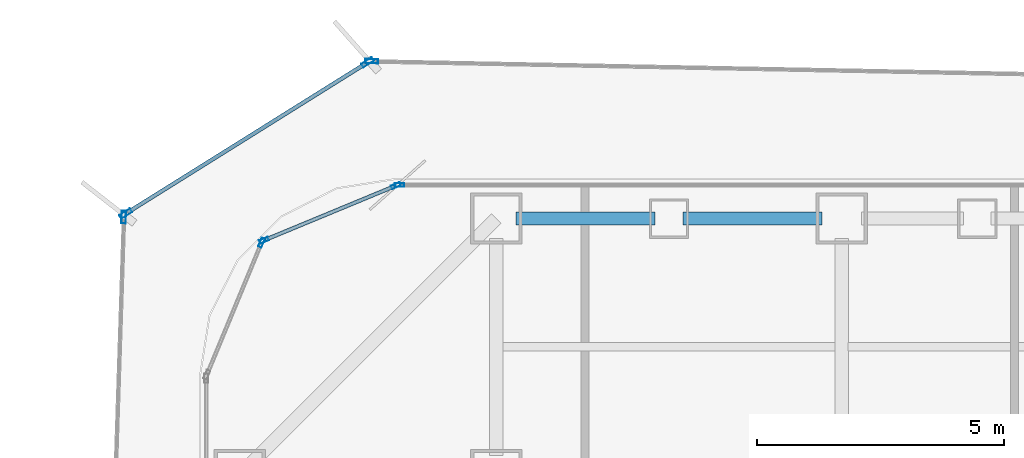
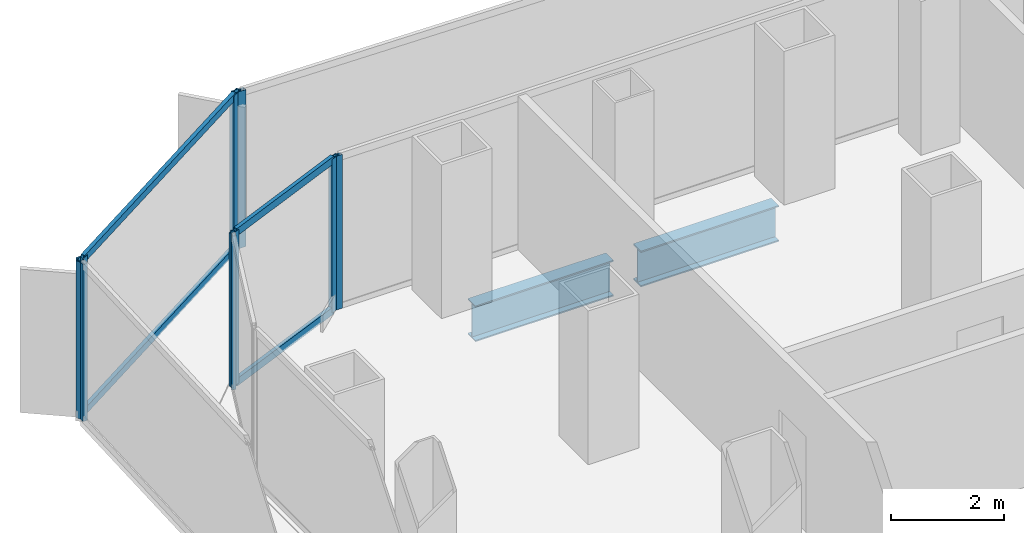
# One storey, part 11 of 22: 12 members, 2 beams, 6 elements without a shape of their own.
"""IFC4 building model written with IfcOpenShell, lengths in metres."""

from ifc_helpers import new_model, si_unit, direction, frame, origin, origin_2d, place, context, subcontext, project, spatial, hollow_rectangle, i_section, extrude, source, transform, mapped, material, layer, layer_set, material_profile, profile_set, type_object, element, aggregate, save


model = new_model("IFC4")

# Units and contexts
model_context = context("Model", 3, precision=1e-05, world=origin(), true_north=direction((0.0, 1.0)))
body_context = subcontext(model_context, "Body", "Model", "MODEL_VIEW")
ifc_project = project(units=[si_unit("LENGTHUNIT", "METRE"), si_unit("AREAUNIT", "SQUARE_METRE"), si_unit("VOLUMEUNIT", "CUBIC_METRE"), si_unit("PLANEANGLEUNIT", "RADIAN"), si_unit("MASSUNIT", "GRAM", prefix="KILO")], contexts=[model_context])

# Site, building, storey
site_placement = place(None, origin())
site = spatial("IfcSite", under=ifc_project, at=site_placement, CompositionType="ELEMENT")
building_placement = place(site_placement, origin())
building = spatial("IfcBuilding", under=site, at=building_placement, Name="Kolveth Station Tower", CompositionType="ELEMENT")
storey_placement = place(building_placement, frame((0.0, 0.0, 69.300048828125)))
storey = spatial("IfcBuildingStorey", under=building, at=storey_placement, Name="L18", CompositionType="ELEMENT", Elevation=69.300048828125)

# Beams
ifc_material_1 = material(Name="Steel S355", Category="steel")
ifc_material_profile_1 = material_profile(ifc_material_1, i_section(OverallWidth=0.26904296875, OverallDepth=0.77490234375, WebThickness=0.01708984375, FlangeThickness=0.0283203125, at=origin_2d()), Name="W760x220")
ifc_profile_set_1 = profile_set([ifc_material_profile_1], Name="Steel S355")
beam_type = type_object("IfcBeamType", Name="Beam_SP1", PredefinedType="SPANDREL", material=ifc_profile_set_1)
shared_shape_1 = source(origin(), body_context, "Body", "SweptSolid", [
    extrude(i_section(OverallWidth=0.26904296875, OverallDepth=0.77490234375, WebThickness=0.01708984375, FlangeThickness=0.0283203125, at=origin_2d()), origin(), (0.0, 0.0, 1.0), 2.820068359375),
])
for number, where, z_axis, x_axis, name in (
    (1, (6.39990234375, 39.699951171875, -0.66748046875), (1.0, 0.0, 0.0), (0.0, 1.0, 0.0), "L18 Perimeter Spandrel BM-L18-PN-1"),
    (2, (9.780029296875, 39.699951171875, -0.66748046875), (1.0, 0.0, 0.0), (0.0, 1.0, 0.0), "L18 Perimeter Spandrel BM-L18-PN-2"),
):
    element("IfcBeam", number, at=place(storey_placement, frame(where, z_axis=z_axis, x_axis=x_axis)), inside=storey, type_object=beam_type, Name=name, PredefinedType="SPANDREL", context=body_context, shape_type="MappedRepresentation", body=[
        mapped(shared_shape_1, transform((0.0, 0.0, 0.0), x_axis=(1.0, 0.0, 0.0), y_axis=(0.0, 1.0, 0.0), z_axis=(0.0, 0.0, 1.0), scale=1.0)),
    ])

# Curtain wall, member
ifc_material_2 = material(Name="Aluminium 6063-T6 and low-E dark glass", Category="aluminium")
ifc_layer_1 = layer(ifc_material_2, 0.179931640625)
ifc_layer_set_1 = layer_set([ifc_layer_1], Name="Aluminium 6063-T6 and low-E dark glass")
curtain_wall_type_1 = type_object("IfcCurtainWallType", Name="CurtainWall_CW-Z1", PredefinedType="NOTDEFINED", material=ifc_layer_set_1)
curtain_wall_1_placement = place(storey_placement, origin())
curtain_wall_1 = element("IfcCurtainWall", 3, at=curtain_wall_1_placement, inside=storey, type_object=curtain_wall_type_1, Name="L18 Inner Thermal Curtain Wall 6", PredefinedType="NOTDEFINED")
ifc_material_3 = material(Name="Black anodized aluminium 6063-T6", Category="aluminium")
ifc_material_profile_2 = material_profile(ifc_material_3, hollow_rectangle(XDim=0.074951171875, YDim=0.18994140625, WallThickness=0.0048828125, at=origin_2d()), Name="ALU-75x190x5")
ifc_profile_set_2 = profile_set([ifc_material_profile_2], Name="Black anodized aluminium 6063-T6")
member_type_1 = type_object("IfcMemberType", Name="Mullion_ML1", PredefinedType="MULLION", material=ifc_profile_set_2)
shared_shape_2 = source(origin(), body_context, "Body", "SweptSolid", [
    extrude(hollow_rectangle(XDim=0.074951171875, YDim=0.18994140625, WallThickness=0.0048828125, at=origin_2d()), origin(), (0.0, 0.0, 1.0), 3.320068359375),
])
member_1_placement = place(storey_placement, frame((4.03759765625, 40.3798828125, 0.0), z_axis=(0.0, 0.0, 1.0), x_axis=(0.0, -1.0, 0.0)))
member_1 = element("IfcMember", 4, at=member_1_placement, type_object=member_type_1, Name="CW-Z1 mullion 3", PredefinedType="MULLION", context=body_context, shape_type="MappedRepresentation", body=[
    mapped(shared_shape_2, transform((0.0, 0.0, 0.0), x_axis=(1.0, 0.0, 0.0), y_axis=(0.0, 1.0, 0.0), z_axis=(0.0, 0.0, 1.0), scale=1.0)),
])
aggregate(curtain_wall_1, [member_1])

# Curtain wall, members
curtain_wall_2_placement = place(storey_placement, origin())
curtain_wall_2 = element("IfcCurtainWall", 5, at=curtain_wall_2_placement, inside=storey, type_object=curtain_wall_type_1, Name="L18 Inner Thermal Curtain Wall 7", PredefinedType="NOTDEFINED")
member_2_placement = place(storey_placement, frame((3.96533203125, 40.36572265625, 0.0), z_axis=(0.0, 0.0, 1.0), x_axis=(0.382672990201, -0.923883857728, 0.0)))
member_2 = element("IfcMember", 6, at=member_2_placement, type_object=member_type_1, Name="CW-Z1 mullion 1", PredefinedType="MULLION", context=body_context, shape_type="MappedRepresentation", body=[
    mapped(shared_shape_2, transform((0.0, 0.0, 0.0), x_axis=(1.0, 0.0, 0.0), y_axis=(0.0, 1.0, 0.0), z_axis=(0.0, 0.0, 1.0), scale=1.0)),
])
member_3_placement = place(storey_placement, frame((1.291015625, 39.258056640625, 0.0), z_axis=(0.0, 0.0, 1.0), x_axis=(0.382672990201, -0.923883857728, 0.0)))
member_3 = element("IfcMember", 7, at=member_3_placement, type_object=member_type_1, Name="CW-Z1 mullion 2", PredefinedType="MULLION", context=body_context, shape_type="MappedRepresentation", body=[
    mapped(shared_shape_2, transform((0.0, 0.0, 0.0), x_axis=(1.0, 0.0, 0.0), y_axis=(0.0, 1.0, 0.0), z_axis=(0.0, 0.0, 1.0), scale=1.0)),
])

# Curtain wall, member
curtain_wall_3_placement = place(storey_placement, origin())
curtain_wall_3 = element("IfcCurtainWall", 8, at=curtain_wall_3_placement, inside=storey, type_object=curtain_wall_type_1, Name="L18 Inner Thermal Curtain Wall 8", PredefinedType="NOTDEFINED")
member_4_placement = place(storey_placement, frame((1.241943359375, 39.208984375, 0.0), z_axis=(0.0, 0.0, 1.0), x_axis=(0.923883857728, -0.382672990201, 0.0)))
member_4 = element("IfcMember", 9, at=member_4_placement, type_object=member_type_1, Name="CW-Z1 mullion 1", PredefinedType="MULLION", context=body_context, shape_type="MappedRepresentation", body=[
    mapped(shared_shape_2, transform((0.0, 0.0, 0.0), x_axis=(1.0, 0.0, 0.0), y_axis=(0.0, 1.0, 0.0), z_axis=(0.0, 0.0, 1.0), scale=1.0)),
])
aggregate(curtain_wall_3, [member_4])

# Member
ifc_material_profile_3 = material_profile(ifc_material_3, hollow_rectangle(XDim=0.074951171875, YDim=0.159912109375, WallThickness=0.0048828125, at=origin_2d()), Name="ALU-75x160x5")
ifc_profile_set_3 = profile_set([ifc_material_profile_3], Name="Black anodized aluminium 6063-T6")
member_type_2 = type_object("IfcMemberType", Name="Transom_TR1", PredefinedType="USERDEFINED", material=ifc_profile_set_3)
shared_shape_3 = source(origin(), body_context, "Body", "SweptSolid", [
    extrude(hollow_rectangle(XDim=0.074951171875, YDim=0.159912109375, WallThickness=0.0048828125, at=origin_2d()), origin(), (0.0, 0.0, 1.0), 2.819580078125),
])
member_5_placement = place(storey_placement, frame((3.9306640625, 40.351318359375, 0.037353515625), z_axis=(-0.923869084389, -0.382708655389, 0.0), x_axis=(0.382708655389, -0.923869084389, 0.0)))
member_5 = element("IfcMember", 10, at=member_5_placement, type_object=member_type_2, Name="CW-Z1 transom 1.1", ObjectType="TRANSOM", PredefinedType="USERDEFINED", context=body_context, shape_type="MappedRepresentation", body=[
    mapped(shared_shape_3, transform((0.0, 0.0, 0.0), x_axis=(1.0, 0.0, 0.0), y_axis=(0.0, 1.0, 0.0), z_axis=(0.0, 0.0, 1.0), scale=1.0)),
])

member_6_placement = place(storey_placement, frame((3.9306640625, 40.351318359375, 3.282470703125), z_axis=(-0.923869084389, -0.382708655389, 0.0), x_axis=(0.382708655389, -0.923869084389, 0.0)))
member_6 = element("IfcMember", 11, at=member_6_placement, type_object=member_type_2, Name="CW-Z1 transom 1.2", ObjectType="TRANSOM", PredefinedType="USERDEFINED", context=body_context, shape_type="MappedRepresentation", body=[
    mapped(shared_shape_3, transform((0.0, 0.0, 0.0), x_axis=(1.0, 0.0, 0.0), y_axis=(0.0, 1.0, 0.0), z_axis=(0.0, 0.0, 1.0), scale=1.0)),
])

aggregate(curtain_wall_2, [member_2, member_3, member_5, member_6])

# Curtain wall, member
ifc_material_4 = material(Name="Black anodized aluminium 6063-T6 and dark solar glass", Category="aluminium")
ifc_layer_2 = layer(ifc_material_4, 0.159912109375)
ifc_layer_set_2 = layer_set([ifc_layer_2], Name="Black anodized aluminium 6063-T6 and dark solar glass")
curtain_wall_type_2 = type_object("IfcCurtainWallType", Name="OUTER SKIN CW-OS", PredefinedType="NOTDEFINED", material=ifc_layer_set_2)
curtain_wall_4_placement = place(storey_placement, origin())
curtain_wall_4 = element("IfcCurtainWall", 12, at=curtain_wall_4_placement, inside=storey, type_object=curtain_wall_type_2, Name="L18 Outer Ventilated Skin Curtain Wall 4", PredefinedType="NOTDEFINED")
ifc_material_profile_4 = material_profile(ifc_material_3, hollow_rectangle(XDim=0.090087890625, YDim=0.260009765625, WallThickness=0.0048828125, at=origin_2d()), Name="ALU-90x260x5")
ifc_profile_set_4 = profile_set([ifc_material_profile_4], Name="Black anodized aluminium 6063-T6")
member_type_3 = type_object("IfcMemberType", Name="FIN MULLION ML-OS", PredefinedType="MULLION", material=ifc_profile_set_4)
shared_shape_4 = source(origin(), body_context, "Body", "SweptSolid", [
    extrude(hollow_rectangle(XDim=0.090087890625, YDim=0.260009765625, WallThickness=0.0048828125, at=origin_2d()), origin(), (0.0, 0.0, 1.0), 3.389892578125),
])
member_7_placement = place(storey_placement, frame((3.476318359375, 42.888427734375, 0.0), z_axis=(0.0, 0.0, 1.0), x_axis=(-0.019360918643, -0.999812559848, 0.0)))
member_7 = element("IfcMember", 13, at=member_7_placement, type_object=member_type_3, Name="CW-OS mullion 2", PredefinedType="MULLION", context=body_context, shape_type="MappedRepresentation", body=[
    mapped(shared_shape_4, transform((0.0, 0.0, 0.0), x_axis=(1.0, 0.0, 0.0), y_axis=(0.0, 1.0, 0.0), z_axis=(0.0, 0.0, 1.0), scale=1.0)),
])
aggregate(curtain_wall_4, [member_7])

# Curtain wall, members
curtain_wall_5_placement = place(storey_placement, origin())
curtain_wall_5 = element("IfcCurtainWall", 14, at=curtain_wall_5_placement, inside=storey, type_object=curtain_wall_type_2, Name="L18 Outer Ventilated Skin Curtain Wall 5", PredefinedType="NOTDEFINED")
member_8_placement = place(storey_placement, frame((3.39306640625, 42.865234375, 0.0), z_axis=(0.0, 0.0, 1.0), x_axis=(0.530122895263, -0.847920819368, 0.0)))
member_8 = element("IfcMember", 15, at=member_8_placement, type_object=member_type_3, Name="CW-OS mullion 1", PredefinedType="MULLION", context=body_context, shape_type="MappedRepresentation", body=[
    mapped(shared_shape_4, transform((0.0, 0.0, 0.0), x_axis=(1.0, 0.0, 0.0), y_axis=(0.0, 1.0, 0.0), z_axis=(0.0, 0.0, 1.0), scale=1.0)),
])
member_9_placement = place(storey_placement, frame((-1.5107421875, 39.79931640625, 0.0), z_axis=(0.0, 0.0, 1.0), x_axis=(0.530122895263, -0.847920819368, 0.0)))
member_9 = element("IfcMember", 16, at=member_9_placement, type_object=member_type_3, Name="CW-OS mullion 2", PredefinedType="MULLION", context=body_context, shape_type="MappedRepresentation", body=[
    mapped(shared_shape_4, transform((0.0, 0.0, 0.0), x_axis=(1.0, 0.0, 0.0), y_axis=(0.0, 1.0, 0.0), z_axis=(0.0, 0.0, 1.0), scale=1.0)),
])

# Curtain wall, member
curtain_wall_6_placement = place(storey_placement, origin())
curtain_wall_6 = element("IfcCurtainWall", 17, at=curtain_wall_6_placement, inside=storey, type_object=curtain_wall_type_2, Name="L18 Outer Ventilated Skin Curtain Wall 6", PredefinedType="NOTDEFINED")
member_10_placement = place(storey_placement, frame((-1.550537109375, 39.73046875, 0.0), z_axis=(0.0, 0.0, 1.0), x_axis=(0.999477132811, -0.032333589159, 0.0)))
member_10 = element("IfcMember", 18, at=member_10_placement, type_object=member_type_3, Name="CW-OS mullion 1", PredefinedType="MULLION", context=body_context, shape_type="MappedRepresentation", body=[
    mapped(shared_shape_4, transform((0.0, 0.0, 0.0), x_axis=(1.0, 0.0, 0.0), y_axis=(0.0, 1.0, 0.0), z_axis=(0.0, 0.0, 1.0), scale=1.0)),
])
aggregate(curtain_wall_6, [member_10])

# Member
ifc_material_profile_5 = material_profile(ifc_material_3, hollow_rectangle(XDim=0.080078125, YDim=0.14990234375, WallThickness=0.0048828125, at=origin_2d()), Name="ALU-80x150x5")
ifc_profile_set_5 = profile_set([ifc_material_profile_5], Name="Black anodized aluminium 6063-T6")
member_type_4 = type_object("IfcMemberType", Name="Transom_TR-OS", PredefinedType="USERDEFINED", material=ifc_profile_set_5)
shared_shape_5 = source(origin(), body_context, "Body", "SweptSolid", [
    extrude(hollow_rectangle(XDim=0.080078125, YDim=0.14990234375, WallThickness=0.0048828125, at=origin_2d()), origin(), (0.0, 0.0, 1.0), 5.693603515625),
])
member_11_placement = place(storey_placement, frame((3.35498046875, 42.841552734375, 0.0400390625), z_axis=(-0.847916387559, -0.530129983786, 0.0), x_axis=(0.530129983786, -0.847916387559, 0.0)))
member_11 = element("IfcMember", 19, at=member_11_placement, type_object=member_type_4, Name="CW-OS transom 1.1", ObjectType="TRANSOM", PredefinedType="USERDEFINED", context=body_context, shape_type="MappedRepresentation", body=[
    mapped(shared_shape_5, transform((0.0, 0.0, 0.0), x_axis=(1.0, 0.0, 0.0), y_axis=(0.0, 1.0, 0.0), z_axis=(0.0, 0.0, 1.0), scale=1.0)),
])

member_12_placement = place(storey_placement, frame((3.35498046875, 42.841552734375, 3.349853515625), z_axis=(-0.847916387559, -0.530129983786, 0.0), x_axis=(0.530129983786, -0.847916387559, 0.0)))
member_12 = element("IfcMember", 20, at=member_12_placement, type_object=member_type_4, Name="CW-OS transom 1.2", ObjectType="TRANSOM", PredefinedType="USERDEFINED", context=body_context, shape_type="MappedRepresentation", body=[
    mapped(shared_shape_5, transform((0.0, 0.0, 0.0), x_axis=(1.0, 0.0, 0.0), y_axis=(0.0, 1.0, 0.0), z_axis=(0.0, 0.0, 1.0), scale=1.0)),
])

aggregate(curtain_wall_5, [member_8, member_9, member_11, member_12])

save(model, "model.ifc")
